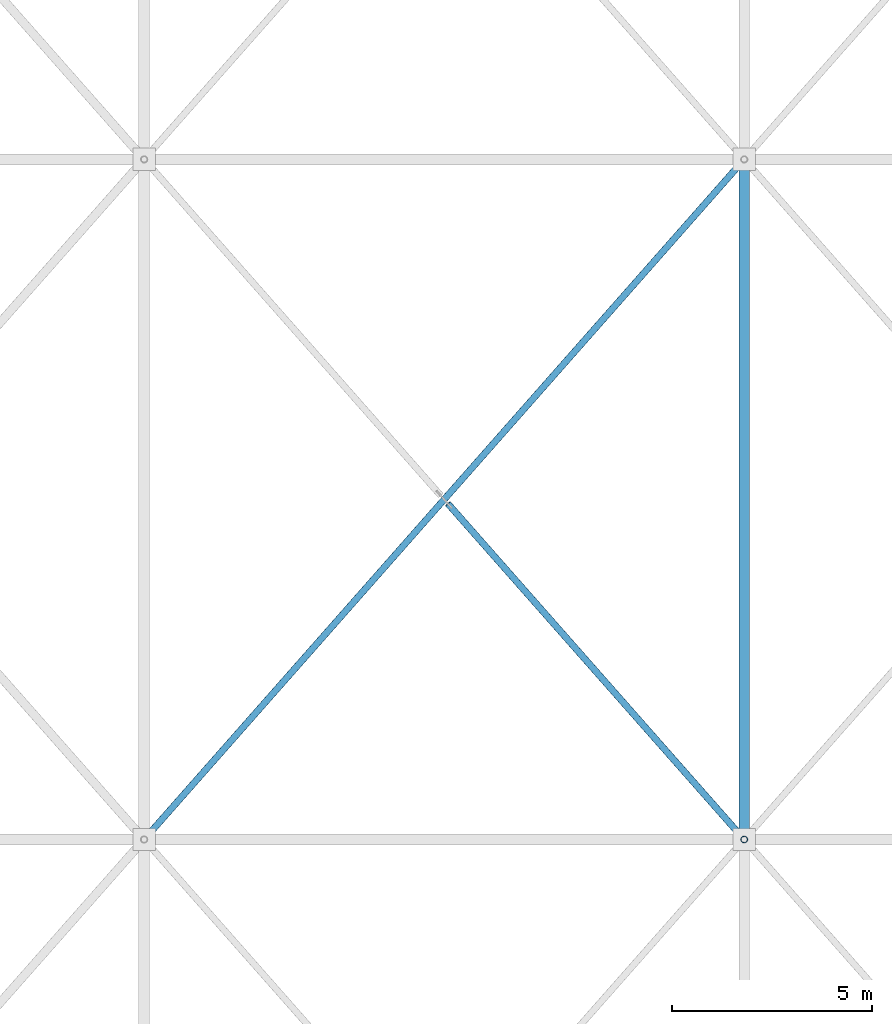
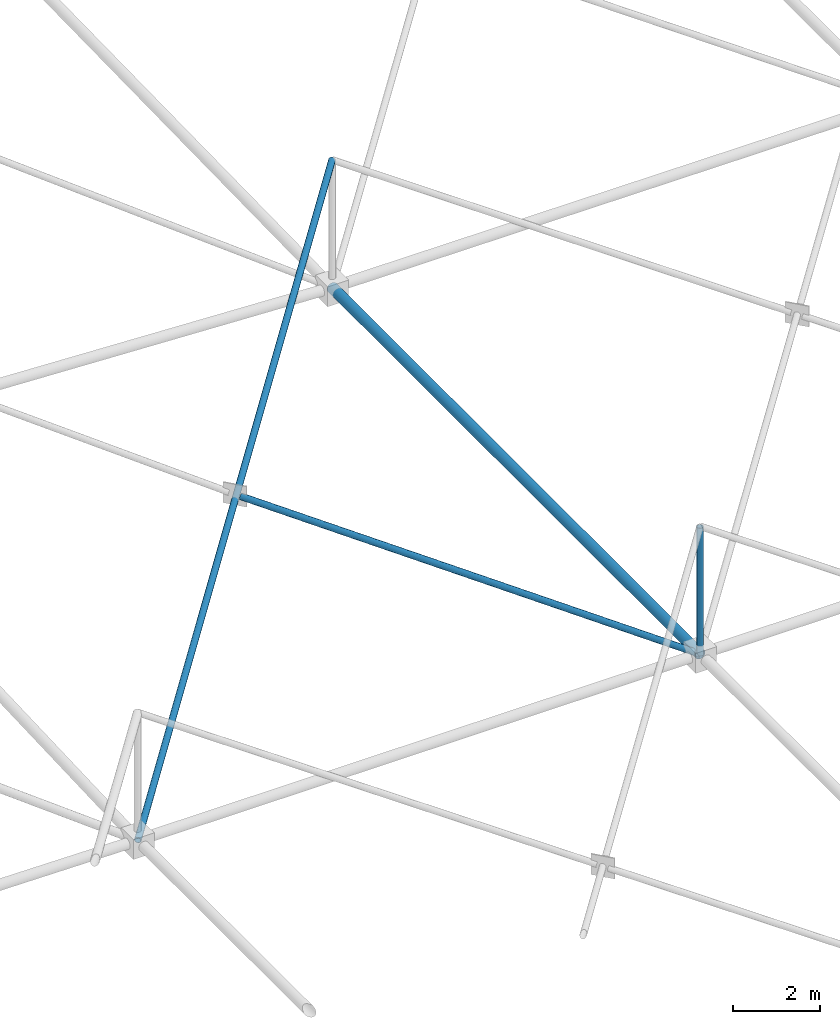
# One storey, part 76 of 224: 4 members.
"""IFC4 building model written with IfcOpenShell, lengths in metres."""

import ifcopenshell
import ifcopenshell.guid

model = None  # the IFC model being written
_history = None  # IfcOwnerHistory: only IFC2X3 demands one
_inside = {}  # id of a spatial element -> (the spatial element, [elements in it])
_under = {}  # id of a project, library or spatial element -> (it, [spatial elements below it])
_declared = {}  # id of a project -> (the project, [libraries it declares])
_typed = {}  # id of a type object -> (the type object, [elements of that type])
_made_of = {}  # id of a material, layer set ... -> (it, [elements and type objects made of it])


def new_model(schema):
    """Start an empty IFC model of exactly this schema.

    Asked for "IFC4X3", IfcOpenShell would pick the latest addendum, in which some entities
    have other attributes; the version numbers below select the first issue.
    IFC2X3 requires an IfcOwnerHistory on every rooted entity: one is made here for all.
    """
    global model, _history
    if schema == "IFC4X3":
        model = ifcopenshell.file(schema_version=(4, 3, 0, 0))
    else:
        model = ifcopenshell.file(schema=schema)
    _inside.clear()
    _under.clear()
    _declared.clear()
    _typed.clear()
    _made_of.clear()
    _history = None
    if model.schema == "IFC2X3":
        org = make("IfcOrganization", Name="unknown")
        user = make(
            "IfcPersonAndOrganization",
            ThePerson=make("IfcPerson", FamilyName="unknown"),
            TheOrganization=org,
        )
        app = make(
            "IfcApplication",
            ApplicationDeveloper=org,
            Version="unknown",
            ApplicationFullName="unknown",
            ApplicationIdentifier="unknown",
        )
        _history = make(
            "IfcOwnerHistory",
            OwningUser=user,
            OwningApplication=app,
            ChangeAction="ADDED",
            CreationDate=0,
        )
    return model


def make(cls, **values):
    """One entity of the class cls with the attributes given. An attribute that is None is left unset."""
    return model.create_entity(
        cls, **{name: value for name, value in values.items() if value is not None}
    )


def rooted(cls, **values):
    """An entity with a GlobalId (a new one), such as an element, a storey or a relation."""
    return make(cls, GlobalId=ifcopenshell.guid.new(), OwnerHistory=_history, **values)


def si_unit(unit_type, name, prefix=None):
    """IfcSIUnit, for example si_unit("LENGTHUNIT", "METRE", prefix="MILLI")."""
    return make("IfcSIUnit", UnitType=unit_type, Prefix=prefix, Name=name)


def assignment(units):
    """IfcUnitAssignment: the units of a project."""
    return None if units is None else make("IfcUnitAssignment", Units=units)


def point(xyz):
    """IfcCartesianPoint."""
    return None if xyz is None else make("IfcCartesianPoint", Coordinates=xyz)


def direction(xyz):
    """IfcDirection."""
    return None if xyz is None else make("IfcDirection", DirectionRatios=xyz)


def frame(location, z_axis=None, x_axis=None):
    """IfcAxis2Placement3D, a coordinate frame: its origin and axes. An axis left out is left unset."""
    return make(
        "IfcAxis2Placement3D",
        Location=point(location),
        Axis=direction(z_axis),
        RefDirection=direction(x_axis),
    )


def frame_2d(location, x_axis=None):
    """IfcAxis2Placement2D, a coordinate frame in the plane: its origin and x axis."""
    return make(
        "IfcAxis2Placement2D", Location=point(location), RefDirection=direction(x_axis)
    )


def origin():
    """The frame at (0, 0, 0) with its axes left unset."""
    return frame((0.0, 0.0, 0.0))


def origin_2d():
    """The frame at (0, 0) in the plane with its x axis left unset."""
    return frame_2d((0.0, 0.0))


def place(relative_to, where):
    """IfcLocalPlacement: puts the frame where relative to a parent placement (None: the world)."""
    return make(
        "IfcLocalPlacement", PlacementRelTo=relative_to, RelativePlacement=where
    )


def context(
    kind, dimensions, precision=None, world=None, true_north=None, identifier=None
):
    """IfcGeometricRepresentationContext, for example the 3D "Model" context."""
    return make(
        "IfcGeometricRepresentationContext",
        ContextIdentifier=identifier,
        ContextType=kind,
        CoordinateSpaceDimension=dimensions,
        Precision=precision,
        WorldCoordinateSystem=world,
        TrueNorth=true_north,
    )


def subcontext(parent, identifier, kind, view, scale=None):
    """IfcGeometricRepresentationSubContext, for example "Body" below "Model"."""
    return make(
        "IfcGeometricRepresentationSubContext",
        ContextIdentifier=identifier,
        ContextType=kind,
        ParentContext=parent,
        TargetScale=scale,
        TargetView=view,
    )


def project(units=None, contexts=None):
    """IfcProject with its units and contexts."""
    return rooted(
        "IfcProject",
        Name="project",
        RepresentationContexts=contexts,
        UnitsInContext=assignment(units),
    )


def spatial(cls, under=None, at=None, **own):
    """A site, building, storey or space (cls), placed at a placement, below another one or the project."""
    s = rooted(cls, ObjectPlacement=at, **own)
    if under is not None:
        _under.setdefault(under.id(), (under, []))[1].append(s)
    return s


def profile(cls, at=None, kind="AREA", **sizes):
    """A parametric profile (cls). Its sizes go by their IFC names, for example OverallWidth=200.0."""
    return make(cls, ProfileType=kind, Position=at, **sizes)


def hollow_circle(**sizes):
    """IfcCircleHollowProfileDef."""
    return profile("IfcCircleHollowProfileDef", **sizes)


def extrude(swept, where, along, depth):
    """IfcExtrudedAreaSolid: the profile swept, set in the frame where, extruded along a direction by depth."""
    return make(
        "IfcExtrudedAreaSolid",
        SweptArea=swept,
        Position=where,
        ExtrudedDirection=direction(along),
        Depth=depth,
    )


def shape(context_of_items, identifier, shape_type, items):
    """IfcShapeRepresentation: the items that make up one representation, for example the "Body"."""
    return make(
        "IfcShapeRepresentation",
        ContextOfItems=context_of_items,
        RepresentationIdentifier=identifier,
        RepresentationType=shape_type,
        Items=items,
    )


def material(Name=None, Category=None):
    """IfcMaterial."""
    return make("IfcMaterial", Name=Name, Category=Category)


def material_profile(
    of_material, cross_section, Name=None, Category=None, Priority=None
):
    """IfcMaterialProfile: a cross section and its material."""
    return make(
        "IfcMaterialProfile",
        Name=Name,
        Material=of_material,
        Profile=cross_section,
        Priority=Priority,
        Category=Category,
    )


def profile_set(profiles, Name=None, composite=None):
    """IfcMaterialProfileSet."""
    return make(
        "IfcMaterialProfileSet",
        Name=Name,
        MaterialProfiles=profiles,
        CompositeProfile=composite,
    )


def made_of(thing, what):
    """Note that an element or type object is made of a material, layer set ...; save() writes the relation."""
    if what is not None:
        _made_of.setdefault(what.id(), (what, []))[1].append(thing)
    return thing


def type_object(cls, material=None, **own):
    """A type object (cls), such as IfcWallType, which elements share."""
    return made_of(rooted(cls, **own), material)


def element(
    cls,
    number,
    at=None,
    inside=None,
    cuts=None,
    type_object=None,
    material=None,
    context=None,
    identifier="Body",
    shape_type=None,
    held_by="IfcProductDefinitionShape",
    body=None,
    shapes=None,
    **own,
):
    """One element of the class cls, such as IfcWall. Its Tag is "e" and its number.

    at: its placement. inside: the storey or other place that contains it. cuts: it is an
    opening in that element (IfcRelVoidsElement). A single representation is given by context,
    identifier, shape_type and body (its items); several are given by shapes. held_by: the class
    of the entity that holds the representations. save() writes the other relations.
    """
    e = rooted(cls, Tag="e%d" % number, ObjectPlacement=at, **own)
    if body is not None:
        shapes = [shape(context, identifier, shape_type, body)]
    if shapes is not None:
        e.Representation = make(held_by, Representations=shapes)
    if inside is not None:
        _inside.setdefault(inside.id(), (inside, []))[1].append(e)
    if cuts is not None:
        rooted(
            "IfcRelVoidsElement", RelatingBuildingElement=cuts, RelatedOpeningElement=e
        )
    if type_object is not None:
        _typed.setdefault(type_object.id(), (type_object, []))[1].append(e)
    return made_of(e, material)


def aggregate(whole, parts):
    """IfcRelAggregates: a whole, such as a stair, and the parts it consists of."""
    return rooted("IfcRelAggregates", RelatingObject=whole, RelatedObjects=parts)


def save(model, path):
    """Write the relations noted so far, then the file.

    IfcRelAggregates (storeys below a building ...), IfcRelContainedInSpatialStructure (elements
    in a storey), IfcRelDefinesByType, IfcRelAssociatesMaterial and IfcRelDeclares: one each for
    every whole, place, type object, material and project.
    """
    for whole, parts in _under.values():
        aggregate(whole, parts)
    for where, things in _inside.values():
        rooted(
            "IfcRelContainedInSpatialStructure",
            RelatedElements=things,
            RelatingStructure=where,
        )
    for kind, things in _typed.values():
        rooted("IfcRelDefinesByType", RelatedObjects=things, RelatingType=kind)
    for what, things in _made_of.values():
        rooted("IfcRelAssociatesMaterial", RelatedObjects=things, RelatingMaterial=what)
    for by, libraries in _declared.values():
        rooted("IfcRelDeclares", RelatingContext=by, RelatedDefinitions=libraries)
    model.write(path)


model = new_model("IFC4")

# Units and contexts
model_context = context("Model", 3, precision=1e-05, world=origin(), true_north=direction((0.0, 1.0)))
body_context = subcontext(model_context, "Body", "Model", "MODEL_VIEW")
ifc_project = project(units=[si_unit("LENGTHUNIT", "METRE"), si_unit("AREAUNIT", "SQUARE_METRE"), si_unit("VOLUMEUNIT", "CUBIC_METRE"), si_unit("PLANEANGLEUNIT", "RADIAN"), si_unit("MASSUNIT", "GRAM", prefix="KILO")], contexts=[model_context])

# Site, building, storey
site_placement = place(None, origin())
site = spatial("IfcSite", under=ifc_project, at=site_placement, CompositionType="ELEMENT")
building_placement = place(site_placement, origin())
building = spatial("IfcBuilding", under=site, at=building_placement, Name="Qamarlyn Nura Convention Centre", CompositionType="ELEMENT")
storey_placement = place(building_placement, frame((0.0, 0.0, 10.800048828125)))
storey = spatial("IfcBuildingStorey", under=building, at=storey_placement, Name="L02", CompositionType="ELEMENT", Elevation=10.800048828125)

# Members
ifc_material = material(Name="Pearl-white PVDF steel ASTM A500 Grade C", Category="steel")
ifc_material_profile_1 = material_profile(ifc_material, hollow_circle(Radius=0.136474609375, WallThickness=0.012451171875, at=origin_2d()), Name="CHS273X12.5")
ifc_profile_set_1 = profile_set([ifc_material_profile_1], Name="Pearl-white PVDF steel ASTM A500 Grade C")
member_type_1 = type_object("IfcMemberType", Name="SF-BC-MAIN", PredefinedType="CHORD", material=ifc_profile_set_1)
member_1_placement = place(storey_placement, frame((30.0, 69.0, 0.800048828125), z_axis=(0.0, 0.999998564129, 0.001694620729), x_axis=(-1.0, 0.0, 0.0)))
element("IfcMember", 1, at=member_1_placement, inside=storey, type_object=member_type_1, Name="ROOF TRUSS space frame bottom chord Y4-5", PredefinedType="CHORD", context=body_context, shape_type="SweptSolid", body=[
    extrude(hollow_circle(Radius=0.136474609375, WallThickness=0.012451171875, at=origin_2d()), origin(), (0.0, 0.0, 1.0), 17.0),
])
ifc_material_profile_2 = material_profile(ifc_material, hollow_circle(Radius=0.084228515625, WallThickness=0.008056640625, at=origin_2d()), Name="CHS168.3X8")
ifc_profile_set_2 = profile_set([ifc_material_profile_2], Name="Pearl-white PVDF steel ASTM A500 Grade C")
member_type_2 = type_object("IfcMemberType", Name="SF-WEB-STD", PredefinedType="BRACE", material=ifc_profile_set_2)
member_2_placement = place(storey_placement, frame((15.0, 69.0, 0.80126953125), z_axis=(0.653311032501, 0.740419170168, 0.158000466015), x_axis=(-0.749837855365, 0.661621637087, 0.0)))
element("IfcMember", 2, at=member_2_placement, inside=storey, type_object=member_type_2, Name="ROOF TRUSS space frame diagonal A 3-5", PredefinedType="BRACE", context=body_context, shape_type="SweptSolid", body=[
    extrude(hollow_circle(Radius=0.084228515625, WallThickness=0.008056640625, at=origin_2d()), origin(), (0.0, 0.0, 1.0), 22.9599609375),
])
member_3_placement = place(storey_placement, frame((30.0, 69.0, 0.800048828125), z_axis=(-0.651799289164, 0.73870013353, 0.171696823989), x_axis=(-0.749835310382, -0.66162452139, 0.0)))
element("IfcMember", 3, at=member_3_placement, inside=storey, type_object=member_type_2, Name="ROOF TRUSS space frame split diagonal B1 3-5", PredefinedType="BRACE", context=body_context, shape_type="SweptSolid", body=[
    extrude(hollow_circle(Radius=0.084228515625, WallThickness=0.008056640625, at=origin_2d()), origin(), (0.0, 0.0, 1.0), 11.366943359375),
])
member_4_placement = place(storey_placement, frame((30.0, 69.0, 0.800048828125), z_axis=(0.0, 0.0, 1.0), x_axis=(1.0, 0.0, 0.0)))
element("IfcMember", 4, at=member_4_placement, inside=storey, type_object=member_type_2, Name="ROOF TRUSS space frame vertical 4-5", PredefinedType="BRACE", context=body_context, shape_type="SweptSolid", body=[
    extrude(hollow_circle(Radius=0.084228515625, WallThickness=0.008056640625, at=origin_2d()), origin(), (0.0, 0.0, 1.0), 3.599853515625),
])

save(model, "model.ifc")
